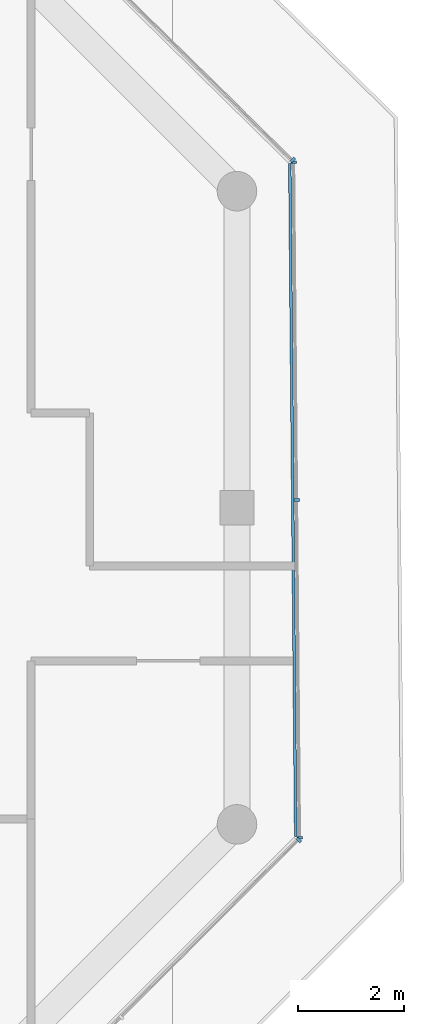
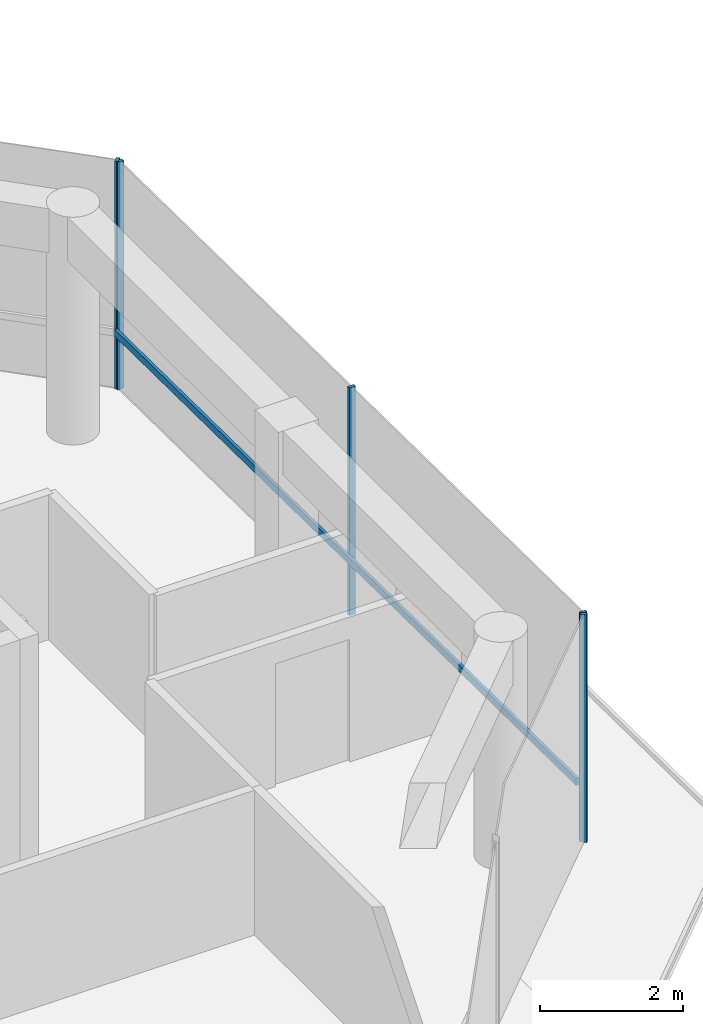
# One storey, part 7 of 21: 6 members, 3 elements without a shape of their own.
"""IFC4 building model written with IfcOpenShell, lengths in metres."""

from ifc_helpers import new_model, si_unit, direction, frame, origin, origin_2d, place, context, subcontext, project, spatial, rectangle, extrude, material, layer, layer_set, material_profile, profile_set, type_object, element, aggregate, save


model = new_model("IFC4")

# Units and contexts
model_context = context("Model", 3, precision=1e-05, world=origin(), true_north=direction((0.0, 1.0)))
body_context = subcontext(model_context, "Body", "Model", "MODEL_VIEW")
ifc_project = project(units=[si_unit("LENGTHUNIT", "METRE"), si_unit("AREAUNIT", "SQUARE_METRE"), si_unit("VOLUMEUNIT", "CUBIC_METRE"), si_unit("PLANEANGLEUNIT", "RADIAN"), si_unit("MASSUNIT", "GRAM", prefix="KILO")], contexts=[model_context])

# Site, building, storey
site_placement = place(None, origin())
site = spatial("IfcSite", under=ifc_project, at=site_placement, CompositionType="ELEMENT")
building_placement = place(site_placement, origin())
building = spatial("IfcBuilding", under=site, at=building_placement, Name="Welwitschia Terrace Campus", CompositionType="ELEMENT")
storey_placement = place(building_placement, frame((0.0, 0.0, 331.39990234375)))
storey = spatial("IfcBuildingStorey", under=building, at=storey_placement, Name="L74", CompositionType="ELEMENT", Elevation=331.39990234375)

# Curtain wall, member
ifc_material_1 = material(Name="Bronze anodised aluminium", Category="aluminium")
ifc_layer = layer(ifc_material_1, 0.10009765625)
ifc_layer_set = layer_set([ifc_layer], Name="Bronze anodised aluminium")
curtain_wall_type = type_object("IfcCurtainWallType", Name="Curtain wall CW5 crown 6000", PredefinedType="NOTDEFINED", material=ifc_layer_set)
curtain_wall_1_placement = place(storey_placement, origin())
curtain_wall_1 = element("IfcCurtainWall", 1, at=curtain_wall_1_placement, inside=storey, type_object=curtain_wall_type, Name="CW L74.4.0", PredefinedType="NOTDEFINED")
ifc_material_2 = material(Name="Bronze anodised aluminium", Category="aluminium")
ifc_material_profile_1 = material_profile(ifc_material_2, rectangle(XDim=0.10009765625, YDim=0.050048828125, at=origin_2d()))
ifc_profile_set_1 = profile_set([ifc_material_profile_1], Name="Bronze anodised aluminium")
member_type_1 = type_object("IfcMemberType", Name="Mullion 50x100", PredefinedType="MULLION", material=ifc_profile_set_1)
member_1_placement = place(storey_placement, frame((31.170166015625, 1.703857421875, 0.0), z_axis=(0.0, 0.0, 1.0), x_axis=(-0.706588158404, 0.707625023867, 0.0)))
member_1 = element("IfcMember", 2, at=member_1_placement, type_object=member_type_1, Name="Mullion L74.4.0.2", PredefinedType="MULLION", context=body_context, shape_type="SweptSolid", body=[
    extrude(rectangle(XDim=0.10009765625, YDim=0.050048828125, at=origin_2d()), origin(), (0.0, 0.0, 1.0), 3.900146484375),
])
aggregate(curtain_wall_1, [member_1])

# Curtain wall, members
curtain_wall_2_placement = place(storey_placement, origin())
curtain_wall_2 = element("IfcCurtainWall", 3, at=curtain_wall_2_placement, inside=storey, type_object=curtain_wall_type, Name="CW L74.5.0", PredefinedType="NOTDEFINED")
member_2_placement = place(storey_placement, frame((31.187744140625, 1.746337890625, 0.0), z_axis=(0.0, 0.0, 1.0), x_axis=(-0.999961923064, -0.008726535498, 0.0)))
member_2 = element("IfcMember", 4, at=member_2_placement, type_object=member_type_1, Name="Mullion L74.5.0.0", PredefinedType="MULLION", context=body_context, shape_type="SweptSolid", body=[
    extrude(rectangle(XDim=0.10009765625, YDim=0.050048828125, at=origin_2d()), origin(), (0.0, 0.0, 1.0), 3.900146484375),
])
member_3_placement = place(storey_placement, frame((31.1318359375, 8.14794921875, 0.0), z_axis=(0.0, 0.0, 1.0), x_axis=(-0.999961923064, -0.008726535498, 0.0)))
member_3 = element("IfcMember", 5, at=member_3_placement, type_object=member_type_1, Name="Mullion L74.5.0.1", PredefinedType="MULLION", context=body_context, shape_type="SweptSolid", body=[
    extrude(rectangle(XDim=0.10009765625, YDim=0.050048828125, at=origin_2d()), origin(), (0.0, 0.0, 1.0), 3.900146484375),
])
member_4_placement = place(storey_placement, frame((31.075927734375, 14.54931640625, 0.0), z_axis=(0.0, 0.0, 1.0), x_axis=(-0.999961923064, -0.008726535498, 0.0)))
member_4 = element("IfcMember", 6, at=member_4_placement, type_object=member_type_1, Name="Mullion L74.5.0.2", PredefinedType="MULLION", context=body_context, shape_type="SweptSolid", body=[
    extrude(rectangle(XDim=0.10009765625, YDim=0.050048828125, at=origin_2d()), origin(), (0.0, 0.0, 1.0), 3.900146484375),
])

# Curtain wall, member
curtain_wall_3_placement = place(storey_placement, origin())
curtain_wall_3 = element("IfcCurtainWall", 7, at=curtain_wall_3_placement, inside=storey, type_object=curtain_wall_type, Name="CW L74.6.0", PredefinedType="NOTDEFINED")
member_5_placement = place(storey_placement, frame((31.057861328125, 14.591796875, 0.0), z_axis=(0.0, 0.0, 1.0), x_axis=(-0.7009092643, -0.713250449154, 0.0)))
member_5 = element("IfcMember", 8, at=member_5_placement, type_object=member_type_1, Name="Mullion L74.6.0.0", PredefinedType="MULLION", context=body_context, shape_type="SweptSolid", body=[
    extrude(rectangle(XDim=0.10009765625, YDim=0.050048828125, at=origin_2d()), origin(), (0.0, 0.0, 1.0), 3.900146484375),
])
aggregate(curtain_wall_3, [member_5])

# Member
ifc_material_3 = material(Name="Bronze anodised aluminium", Category="aluminium")
ifc_material_profile_2 = material_profile(ifc_material_3, rectangle(XDim=0.050048828125, YDim=0.1201171875, at=origin_2d()))
ifc_profile_set_2 = profile_set([ifc_material_profile_2], Name="Bronze anodised aluminium")
member_type_2 = type_object("IfcMemberType", Name="Transom 50x120", PredefinedType="USERDEFINED", material=ifc_profile_set_2)
member_6_placement = place(storey_placement, frame((31.112548828125, 1.770751953125, 1.0), z_axis=(-0.008729279156, 0.999961899117, 0.0), x_axis=(-0.999961899117, -0.008729279156, 0.0)))
member_6 = element("IfcMember", 9, at=member_6_placement, type_object=member_type_2, Name="Transom L74.5.0", ObjectType="TRANSOM", PredefinedType="USERDEFINED", context=body_context, shape_type="SweptSolid", body=[
    extrude(rectangle(XDim=0.050048828125, YDim=0.1201171875, at=origin_2d()), origin(), (0.0, 0.0, 1.0), 12.75341796875),
])

aggregate(curtain_wall_2, [member_2, member_3, member_4, member_6])

save(model, "model.ifc")
